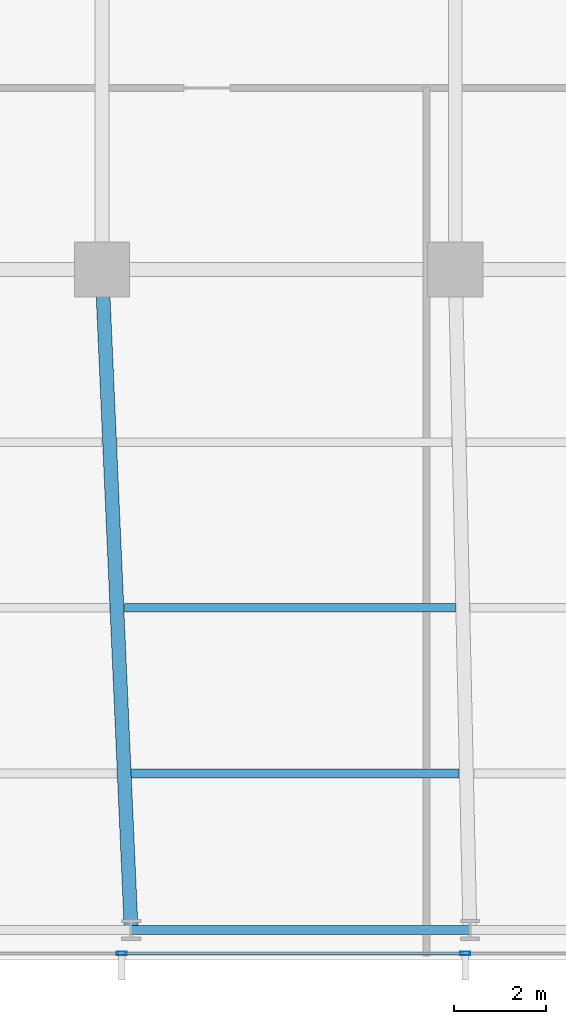
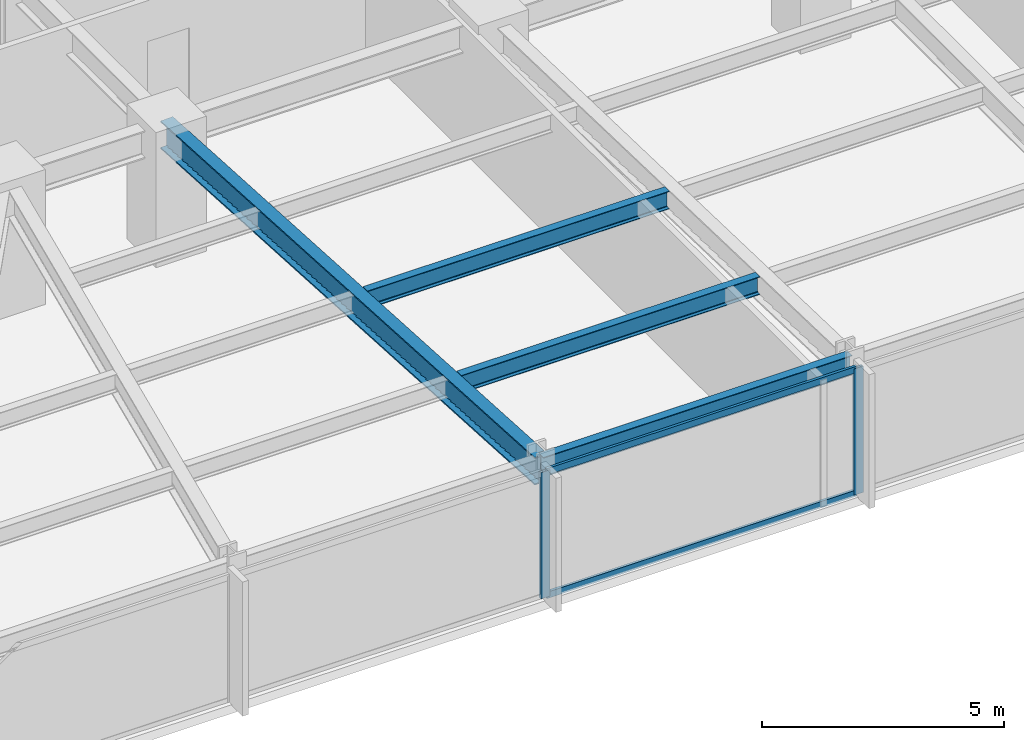
# One storey, part 5 of 33: 4 beams, 4 members, 1 element without a shape of its own.
"""IFC4 building model written with IfcOpenShell, lengths in metres."""

from ifc_helpers import new_model, si_unit, direction, frame, origin, origin_2d, place, context, subcontext, project, spatial, hollow_rectangle, i_section, extrude, material, material_profile, profile_set, type_object, element, aggregate, save


model = new_model("IFC4")

# Units and contexts
model_context = context("Model", 3, precision=1e-05, world=origin(), true_north=direction((0.0, 1.0)))
body_context = subcontext(model_context, "Body", "Model", "MODEL_VIEW")
ifc_project = project(units=[si_unit("LENGTHUNIT", "METRE"), si_unit("AREAUNIT", "SQUARE_METRE"), si_unit("VOLUMEUNIT", "CUBIC_METRE"), si_unit("PLANEANGLEUNIT", "RADIAN"), si_unit("MASSUNIT", "GRAM", prefix="KILO")], contexts=[model_context])

# Site, building, storey
site_placement = place(None, origin())
site = spatial("IfcSite", under=ifc_project, at=site_placement, CompositionType="ELEMENT")
building_placement = place(site_placement, origin())
building = spatial("IfcBuilding", under=site, at=building_placement, Name="Yelkora Congress Tower", CompositionType="ELEMENT")
storey_placement = place(building_placement, frame((0.0, 0.0, 64.39990234375)))
storey = spatial("IfcBuildingStorey", under=building, at=storey_placement, Name="L16", CompositionType="ELEMENT", Elevation=64.39990234375)

# Beams
ifc_material_1 = material(Name="Steel S355J2", Category="steel")
ifc_material_profile_1 = material_profile(ifc_material_1, i_section(OverallWidth=0.300048828125, OverallDepth=0.699951171875, WebThickness=0.01708984375, FlangeThickness=0.031982421875, FilletRadius=0.027099609375, at=origin_2d()), Name="HEB 700")
ifc_profile_set_1 = profile_set([ifc_material_profile_1], Name="Steel S355J2")
beam_type_1 = type_object("IfcBeamType", Name="BM-GIRD-HEB700", PredefinedType="BEAM", material=ifc_profile_set_1)
beam_1_placement = place(storey_placement, frame((23.675048828125, 10.85009765625, 2.830078125), z_axis=(-0.044208738849, 0.999022315771, 0.0), x_axis=(-0.999022315771, -0.044208738849, 0.0)))
element("IfcBeam", 1, at=beam_1_placement, inside=storey, type_object=beam_type_1, Name="L16 Primary Frame Girder S03", PredefinedType="BEAM", context=body_context, shape_type="SweptSolid", body=[
    extrude(i_section(OverallWidth=0.300048828125, OverallDepth=0.699951171875, WebThickness=0.01708984375, FlangeThickness=0.031982421875, FilletRadius=0.027099609375, at=origin_2d()), origin(), (0.0, 0.0, 1.0), 14.364013671875),
])
ifc_material_profile_2 = material_profile(ifc_material_1, i_section(OverallWidth=0.18994140625, OverallDepth=0.449951171875, WebThickness=0.009521484375, FlangeThickness=0.0146484375, FilletRadius=0.02099609375, at=origin_2d()), Name="IPE 450")
ifc_profile_set_2 = profile_set([ifc_material_profile_2], Name="Steel S355J2")
beam_type_2 = type_object("IfcBeamType", Name="BM-JOIST-IPE450", PredefinedType="JOIST", material=ifc_profile_set_2)
beam_2_placement = place(storey_placement, frame((23.6845703125, 14.25, 2.955078125), z_axis=(1.0, 0.0, 0.0), x_axis=(0.0, 1.0, 0.0)))
element("IfcBeam", 2, at=beam_2_placement, inside=storey, type_object=beam_type_2, Name="L16 Composite Floor Joist 3", PredefinedType="JOIST", context=body_context, shape_type="SweptSolid", body=[
    extrude(i_section(OverallWidth=0.18994140625, OverallDepth=0.449951171875, WebThickness=0.009521484375, FlangeThickness=0.0146484375, FilletRadius=0.02099609375, at=origin_2d()), origin(), (0.0, 0.0, 1.0), 7.11767578125),
])
beam_3_placement = place(storey_placement, frame((23.525146484375, 17.85009765625, 2.955078125), z_axis=(1.0, 0.0, 0.0), x_axis=(0.0, 1.0, 0.0)))
element("IfcBeam", 3, at=beam_3_placement, inside=storey, type_object=beam_type_2, Name="L16 Composite Floor Joist 11", PredefinedType="JOIST", context=body_context, shape_type="SweptSolid", body=[
    extrude(i_section(OverallWidth=0.18994140625, OverallDepth=0.449951171875, WebThickness=0.009521484375, FlangeThickness=0.0146484375, FilletRadius=0.02099609375, at=origin_2d()), origin(), (0.0, 0.0, 1.0), 7.197509765625),
])
ifc_material_profile_3 = material_profile(ifc_material_1, i_section(OverallWidth=0.199951171875, OverallDepth=0.5, WebThickness=0.01025390625, FlangeThickness=0.01611328125, FilletRadius=0.02099609375, at=origin_2d()), Name="IPE 500")
ifc_profile_set_3 = profile_set([ifc_material_profile_3], Name="Steel S355J2")
beam_type_3 = type_object("IfcBeamType", Name="BM-SPAN-IPE500", PredefinedType="SPANDREL", material=ifc_profile_set_3)
beam_4_placement = place(storey_placement, frame((23.675048828125, 10.85009765625, 2.93017578125), z_axis=(1.0, 0.0, 0.0), x_axis=(0.0, 1.0, 0.0)))
element("IfcBeam", 4, at=beam_4_placement, inside=storey, type_object=beam_type_3, Name="L16 Perimeter Beam 4", PredefinedType="SPANDREL", context=body_context, shape_type="SweptSolid", body=[
    extrude(i_section(OverallWidth=0.199951171875, OverallDepth=0.5, WebThickness=0.01025390625, FlangeThickness=0.01611328125, FilletRadius=0.02099609375, at=origin_2d()), origin(), (0.0, 0.0, 1.0), 7.362548828125),
])

# Curtain wall, members
ifc_material_2 = material(Name="Anodised aluminium and insulated glass", Category="aluminium")
curtain_wall_type = type_object("IfcCurtainWallType", Name="CW-SYS-B1", PredefinedType="NOTDEFINED", material=ifc_material_2)
curtain_wall_placement = place(storey_placement, origin())
curtain_wall = element("IfcCurtainWall", 5, at=curtain_wall_placement, inside=storey, type_object=curtain_wall_type, Name="L16 Unitised Curtain Wall 20", PredefinedType="NOTDEFINED")
ifc_material_3 = material(Name="Anodised aluminium 6063-T6", Category="aluminium")
ifc_material_profile_4 = material_profile(ifc_material_3, hollow_rectangle(XDim=0.074951171875, YDim=0.219970703125, WallThickness=0.0048828125, at=origin_2d()), Name="ALU 75x220x5")
ifc_profile_set_4 = profile_set([ifc_material_profile_4], Name="Anodised aluminium 6063-T6")
member_type_1 = type_object("IfcMemberType", Name="MEM-ML-B1", PredefinedType="MULLION", material=ifc_profile_set_4)
member_1_placement = place(storey_placement, frame((30.93505859375, 10.340087890625, 0.0), z_axis=(0.0, 0.0, 1.0), x_axis=(0.0, -1.0, 0.0)))
member_1 = element("IfcMember", 6, at=member_1_placement, type_object=member_type_1, Name="CW-B1 mullion 6", PredefinedType="MULLION", context=body_context, shape_type="SweptSolid", body=[
    extrude(hollow_rectangle(XDim=0.074951171875, YDim=0.219970703125, WallThickness=0.0048828125, at=origin_2d()), origin(), (0.0, 0.0, 1.0), 3.18017578125),
])
member_2_placement = place(storey_placement, frame((23.469970703125, 10.340087890625, 0.0), z_axis=(0.0, 0.0, 1.0), x_axis=(0.0, -1.0, 0.0)))
member_2 = element("IfcMember", 7, at=member_2_placement, type_object=member_type_1, Name="CW-B1 mullion 7", PredefinedType="MULLION", context=body_context, shape_type="SweptSolid", body=[
    extrude(hollow_rectangle(XDim=0.074951171875, YDim=0.219970703125, WallThickness=0.0048828125, at=origin_2d()), origin(), (0.0, 0.0, 1.0), 3.18017578125),
])
ifc_material_profile_5 = material_profile(ifc_material_3, hollow_rectangle(XDim=0.06494140625, YDim=0.159912109375, WallThickness=0.00390625, at=origin_2d()), Name="ALU 65x160x4")
ifc_profile_set_5 = profile_set([ifc_material_profile_5], Name="Anodised aluminium 6063-T6")
member_type_2 = type_object("IfcMemberType", Name="MEM-TR-B1", PredefinedType="USERDEFINED", material=ifc_profile_set_5)
member_3_placement = place(storey_placement, frame((30.8974609375, 10.340087890625, 0.03271484375), z_axis=(-1.0, 0.0, 0.0), x_axis=(0.0, -1.0, 0.0)))
member_3 = element("IfcMember", 8, at=member_3_placement, type_object=member_type_2, Name="CW-B1 transom 6.1", ObjectType="TRANSOM", PredefinedType="USERDEFINED", context=body_context, shape_type="SweptSolid", body=[
    extrude(hollow_rectangle(XDim=0.06494140625, YDim=0.159912109375, WallThickness=0.00390625, at=origin_2d()), origin(), (0.0, 0.0, 1.0), 7.389892578125),
])
member_4_placement = place(storey_placement, frame((30.8974609375, 10.340087890625, 3.147705078125), z_axis=(-1.0, 0.0, 0.0), x_axis=(0.0, -1.0, 0.0)))
member_4 = element("IfcMember", 9, at=member_4_placement, type_object=member_type_2, Name="CW-B1 transom 6.2", ObjectType="TRANSOM", PredefinedType="USERDEFINED", context=body_context, shape_type="SweptSolid", body=[
    extrude(hollow_rectangle(XDim=0.06494140625, YDim=0.159912109375, WallThickness=0.00390625, at=origin_2d()), origin(), (0.0, 0.0, 1.0), 7.389892578125),
])
aggregate(curtain_wall, [member_1, member_2, member_3, member_4])

save(model, "model.ifc")
